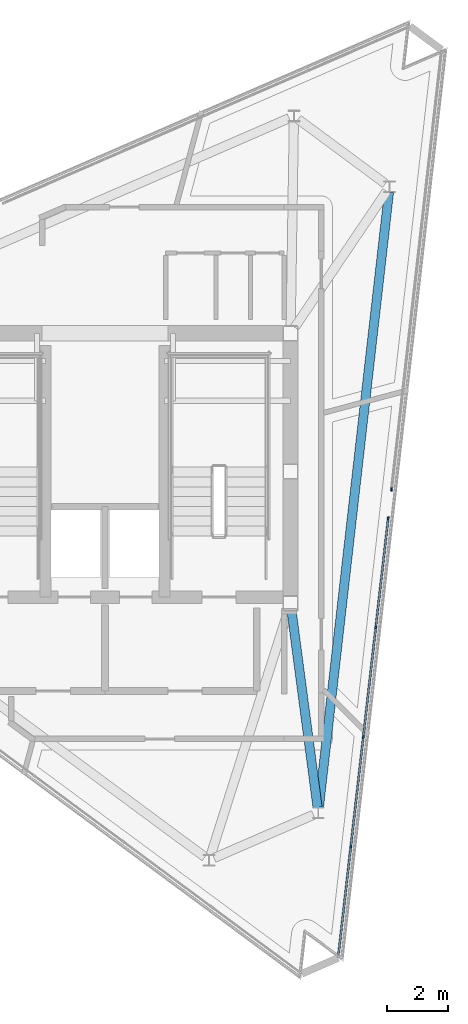
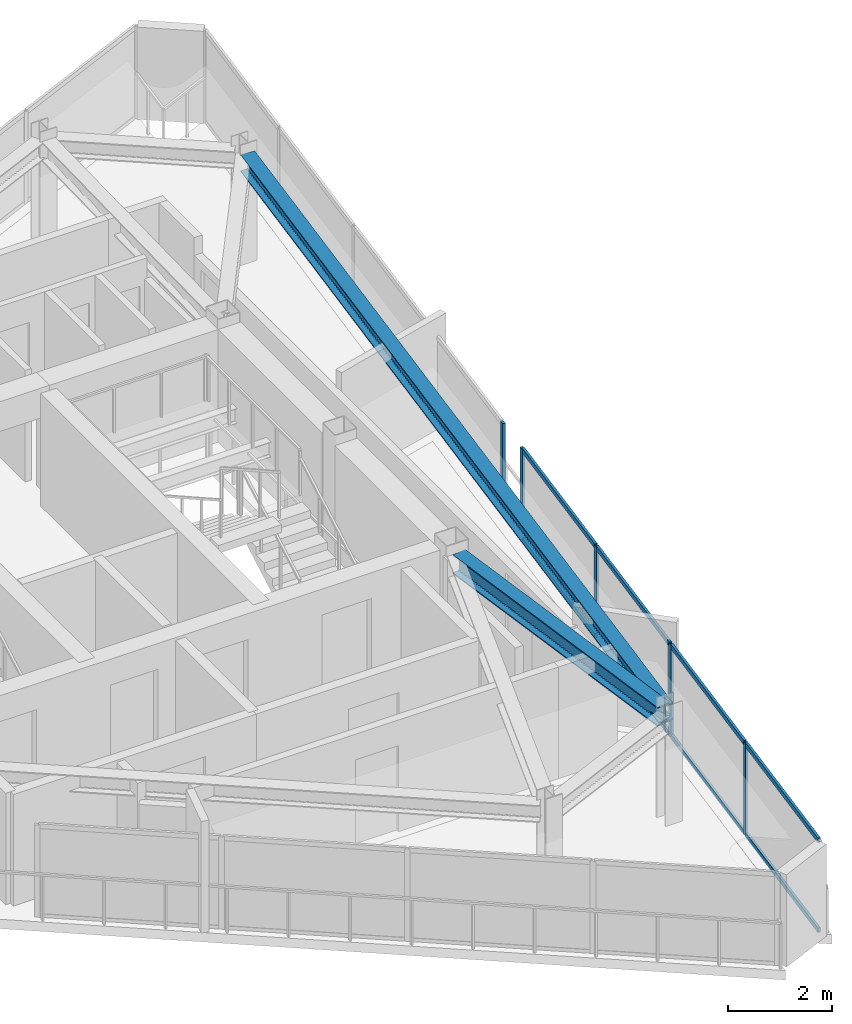
# One storey, part 3 of 9: 13 members, 2 beams, 2 elements without a shape of their own.
"""IFC4 building model written with IfcOpenShell, lengths in metres."""

from ifc_helpers import new_model, si_unit, direction, frame, origin, origin_2d, place, context, subcontext, project, spatial, rectangle, i_section, extrude, material, layer, layer_set, material_profile, profile_set, type_object, element, aggregate, save


model = new_model("IFC4")

# Units and contexts
model_context = context("Model", 3, precision=1e-05, world=origin(), true_north=direction((0.0, 1.0)))
body_context = subcontext(model_context, "Body", "Model", "MODEL_VIEW")
ifc_project = project(units=[si_unit("LENGTHUNIT", "METRE"), si_unit("AREAUNIT", "SQUARE_METRE"), si_unit("VOLUMEUNIT", "CUBIC_METRE"), si_unit("PLANEANGLEUNIT", "RADIAN"), si_unit("MASSUNIT", "GRAM", prefix="KILO")], contexts=[model_context])

# Site, building, storey
site_placement = place(None, origin())
site = spatial("IfcSite", under=ifc_project, at=site_placement, CompositionType="ELEMENT")
building_placement = place(site_placement, origin())
building = spatial("IfcBuilding", under=site, at=building_placement, Name="Rocaltana Carrier Exchange", CompositionType="ELEMENT")
storey_placement = place(building_placement, frame((0.0, 0.0, 246.239990234375)))
storey = spatial("IfcBuildingStorey", under=building, at=storey_placement, Name="L78", CompositionType="ELEMENT", Elevation=246.239990234375)

# Curtain wall, members
ifc_material_1 = material(Name="Aluminium 6063-T6", Category="aluminium")
ifc_layer = layer(ifc_material_1, 0.110107421875)
ifc_layer_set = layer_set([ifc_layer], Name="Aluminium 6063-T6")
curtain_wall_type = type_object("IfcCurtainWallType", Name="Crown Lantern Faceted Curtain Wall CW-06", PredefinedType="NOTDEFINED", material=ifc_layer_set)
curtain_wall_1_placement = place(storey_placement, origin())
curtain_wall_1 = element("IfcCurtainWall", 1, at=curtain_wall_1_placement, inside=storey, type_object=curtain_wall_type, Name="L78 CW-06 Run CW06-L78-F1S1", PredefinedType="NOTDEFINED")
ifc_material_2 = material(Name="Aluminium 6063-T6", Category="aluminium")
ifc_material_profile_1 = material_profile(ifc_material_2, rectangle(XDim=0.054931640625, YDim=0.110107421875, at=origin_2d()), Name="AL-55X110")
ifc_profile_set_1 = profile_set([ifc_material_profile_1], Name="Aluminium 6063-T6")
member_type_1 = type_object("IfcMemberType", Name="CW-06 Mullion AL-55X110", PredefinedType="MULLION", material=ifc_profile_set_1)
member_1_placement = place(storey_placement, frame((8.0126953125, -12.23583984375, 0.0), z_axis=(0.0, 0.0, 1.0), x_axis=(-0.993571337936, 0.113207757829, 0.0)))
member_1 = element("IfcMember", 2, at=member_1_placement, type_object=member_type_1, Name="CW-06 mullion 2", PredefinedType="MULLION", context=body_context, shape_type="SweptSolid", body=[
    extrude(rectangle(XDim=0.054931640625, YDim=0.110107421875, at=origin_2d()), origin(), (0.0, 0.0, 1.0), 2.16796875),
])
member_2_placement = place(storey_placement, frame((8.420166015625, -8.658935546875, 0.0), z_axis=(0.0, 0.0, 1.0), x_axis=(-0.993571337936, 0.113207757829, 0.0)))
member_2 = element("IfcMember", 3, at=member_2_placement, type_object=member_type_1, Name="CW-06 mullion 3", PredefinedType="MULLION", context=body_context, shape_type="SweptSolid", body=[
    extrude(rectangle(XDim=0.054931640625, YDim=0.110107421875, at=origin_2d()), origin(), (0.0, 0.0, 1.0), 2.16796875),
])
member_3_placement = place(storey_placement, frame((8.82763671875, -5.08203125, 0.0), z_axis=(0.0, 0.0, 1.0), x_axis=(-0.993571337936, 0.113207757829, 0.0)))
member_3 = element("IfcMember", 4, at=member_3_placement, type_object=member_type_1, Name="CW-06 mullion 4", PredefinedType="MULLION", context=body_context, shape_type="SweptSolid", body=[
    extrude(rectangle(XDim=0.054931640625, YDim=0.110107421875, at=origin_2d()), origin(), (0.0, 0.0, 1.0), 2.16796875),
])
member_4_placement = place(storey_placement, frame((9.232177734375, -1.532470703125, 0.0), z_axis=(0.0, 0.0, 1.0), x_axis=(-0.993571337936, 0.113207757829, 0.0)))
member_4 = element("IfcMember", 5, at=member_4_placement, type_object=member_type_1, Name="CW-06 mullion 5", PredefinedType="MULLION", context=body_context, shape_type="SweptSolid", body=[
    extrude(rectangle(XDim=0.054931640625, YDim=0.110107421875, at=origin_2d()), origin(), (0.0, 0.0, 1.0), 2.16796875),
])

# Curtain wall, member
curtain_wall_2_placement = place(storey_placement, origin())
curtain_wall_2 = element("IfcCurtainWall", 6, at=curtain_wall_2_placement, inside=storey, type_object=curtain_wall_type, Name="L78 CW-06 Run CW06-L78-F1S2", PredefinedType="NOTDEFINED")
member_5_placement = place(storey_placement, frame((9.34033203125, -0.58349609375, 0.0), z_axis=(0.0, 0.0, 1.0), x_axis=(-0.993571248935, 0.113208538941, 0.0)))
member_5 = element("IfcMember", 7, at=member_5_placement, type_object=member_type_1, Name="CW-06 mullion 1", PredefinedType="MULLION", context=body_context, shape_type="SweptSolid", body=[
    extrude(rectangle(XDim=0.054931640625, YDim=0.110107421875, at=origin_2d()), origin(), (0.0, 0.0, 1.0), 2.16796875),
])
aggregate(curtain_wall_2, [member_5])

# Member
ifc_material_3 = material(Name="Aluminium 6063-T6", Category="aluminium")
ifc_material_profile_2 = material_profile(ifc_material_3, rectangle(XDim=0.054931640625, YDim=0.110107421875, at=origin_2d()), Name="AL-55X110")
ifc_profile_set_2 = profile_set([ifc_material_profile_2], Name="Aluminium 6063-T6")
member_type_2 = type_object("IfcMemberType", Name="CW-06 Transom AL-55X110", PredefinedType="USERDEFINED", material=ifc_profile_set_2)
member_6_placement = place(storey_placement, frame((7.611328125, -15.758056640625, 0.027587890625), z_axis=(0.113196213842, 0.993572653192, 0.0), x_axis=(-0.993572653192, 0.113196213842, 0.0)))
member_6 = element("IfcMember", 8, at=member_6_placement, type_object=member_type_2, Name="CW-06 transom 1.1", ObjectType="TRANSOM", PredefinedType="USERDEFINED", context=body_context, shape_type="SweptSolid", body=[
    extrude(rectangle(XDim=0.054931640625, YDim=0.110107421875, at=origin_2d()), origin(), (0.0, 0.0, 1.0), 3.517822265625),
])

member_7_placement = place(storey_placement, frame((7.611328125, -15.758056640625, 2.140625), z_axis=(0.113196213842, 0.993572653192, 0.0), x_axis=(-0.993572653192, 0.113196213842, 0.0)))
member_7 = element("IfcMember", 9, at=member_7_placement, type_object=member_type_2, Name="CW-06 transom 1.2", ObjectType="TRANSOM", PredefinedType="USERDEFINED", context=body_context, shape_type="SweptSolid", body=[
    extrude(rectangle(XDim=0.054931640625, YDim=0.110107421875, at=origin_2d()), origin(), (0.0, 0.0, 1.0), 3.517822265625),
])

member_8_placement = place(storey_placement, frame((8.015869140625, -12.20849609375, 0.027587890625), z_axis=(0.11315229011, 0.993577656373, 0.0), x_axis=(-0.993577656373, 0.11315229011, 0.0)))
member_8 = element("IfcMember", 10, at=member_8_placement, type_object=member_type_2, Name="CW-06 transom 2.1", ObjectType="TRANSOM", PredefinedType="USERDEFINED", context=body_context, shape_type="SweptSolid", body=[
    extrude(rectangle(XDim=0.054931640625, YDim=0.110107421875, at=origin_2d()), origin(), (0.0, 0.0, 1.0), 3.544921875),
])

member_9_placement = place(storey_placement, frame((8.015869140625, -12.20849609375, 2.140625), z_axis=(0.11315229011, 0.993577656373, 0.0), x_axis=(-0.993577656373, 0.11315229011, 0.0)))
member_9 = element("IfcMember", 11, at=member_9_placement, type_object=member_type_2, Name="CW-06 transom 2.2", ObjectType="TRANSOM", PredefinedType="USERDEFINED", context=body_context, shape_type="SweptSolid", body=[
    extrude(rectangle(XDim=0.054931640625, YDim=0.110107421875, at=origin_2d()), origin(), (0.0, 0.0, 1.0), 3.544921875),
])

member_10_placement = place(storey_placement, frame((8.42333984375, -8.631591796875, 0.027587890625), z_axis=(0.11322027687, 0.993569911433, 0.0), x_axis=(-0.993569911433, 0.11322027687, 0.0)))
member_10 = element("IfcMember", 12, at=member_10_placement, type_object=member_type_2, Name="CW-06 transom 3.1", ObjectType="TRANSOM", PredefinedType="USERDEFINED", context=body_context, shape_type="SweptSolid", body=[
    extrude(rectangle(XDim=0.054931640625, YDim=0.110107421875, at=origin_2d()), origin(), (0.0, 0.0, 1.0), 3.544921875),
])

member_11_placement = place(storey_placement, frame((8.42333984375, -8.631591796875, 2.140625), z_axis=(0.11322027687, 0.993569911433, 0.0), x_axis=(-0.993569911433, 0.11322027687, 0.0)))
member_11 = element("IfcMember", 13, at=member_11_placement, type_object=member_type_2, Name="CW-06 transom 3.2", ObjectType="TRANSOM", PredefinedType="USERDEFINED", context=body_context, shape_type="SweptSolid", body=[
    extrude(rectangle(XDim=0.054931640625, YDim=0.110107421875, at=origin_2d()), origin(), (0.0, 0.0, 1.0), 3.544921875),
])

member_12_placement = place(storey_placement, frame((8.830810546875, -5.0546875, 0.027587890625), z_axis=(0.113204020034, 0.993571763814, 0.0), x_axis=(-0.993571763814, 0.113204020034, 0.0)))
member_12 = element("IfcMember", 14, at=member_12_placement, type_object=member_type_2, Name="CW-06 transom 4.1", ObjectType="TRANSOM", PredefinedType="USERDEFINED", context=body_context, shape_type="SweptSolid", body=[
    extrude(rectangle(XDim=0.054931640625, YDim=0.110107421875, at=origin_2d()), origin(), (0.0, 0.0, 1.0), 3.517578125),
])

member_13_placement = place(storey_placement, frame((8.830810546875, -5.0546875, 2.140625), z_axis=(0.113204020034, 0.993571763814, 0.0), x_axis=(-0.993571763814, 0.113204020034, 0.0)))
member_13 = element("IfcMember", 15, at=member_13_placement, type_object=member_type_2, Name="CW-06 transom 4.2", ObjectType="TRANSOM", PredefinedType="USERDEFINED", context=body_context, shape_type="SweptSolid", body=[
    extrude(rectangle(XDim=0.054931640625, YDim=0.110107421875, at=origin_2d()), origin(), (0.0, 0.0, 1.0), 3.517578125),
])

aggregate(curtain_wall_1, [member_1, member_2, member_3, member_4, member_6, member_7, member_8, member_9, member_10, member_11, member_12, member_13])

# Beams
ifc_material_4 = material(Name="Steel S460", Category="steel")
ifc_material_profile_3 = material_profile(ifc_material_4, i_section(OverallWidth=0.300048828125, OverallDepth=0.449951171875, WebThickness=0.013916015625, FlangeThickness=0.02587890625, FilletRadius=0.027099609375, at=origin_2d()), Name="HEB450")
ifc_profile_set_3 = profile_set([ifc_material_profile_3], Name="Steel S460")
beam_type_1 = type_object("IfcBeamType", Name="Crown Frame Rafter HEB450", PredefinedType="BEAM", material=ifc_profile_set_3)
beam_1_placement = place(storey_placement, frame((6.081787109375, -4.539794921875, 2.423095703125), z_axis=(0.131160183144, -0.991361188648, 0.0), x_axis=(0.991361188648, 0.131160183144, 0.0)))
element("IfcBeam", 16, at=beam_1_placement, inside=storey, type_object=beam_type_1, Name="CRG-RAD-L78-01", PredefinedType="BEAM", context=body_context, shape_type="SweptSolid", body=[
    extrude(i_section(OverallWidth=0.300048828125, OverallDepth=0.449951171875, WebThickness=0.013916015625, FlangeThickness=0.02587890625, FilletRadius=0.027099609375, at=origin_2d()), origin(), (0.0, 0.0, 1.0), 6.47021484375),
])
ifc_material_5 = material(Name="Steel S460", Category="steel")
ifc_material_profile_4 = material_profile(ifc_material_5, i_section(OverallWidth=0.300048828125, OverallDepth=0.39990234375, WebThickness=0.013427734375, FlangeThickness=0.02392578125, FilletRadius=0.027099609375, at=origin_2d()), Name="HEB400")
ifc_profile_set_4 = profile_set([ifc_material_profile_4], Name="Steel S460")
beam_type_2 = type_object("IfcBeamType", Name="Crown Ring Beam HEB400", PredefinedType="BEAM", material=ifc_profile_set_4)
beam_2_placement = place(storey_placement, frame((6.972900390625, -10.95361328125, 2.447998046875), z_axis=(0.113206536155, 0.993571477133, 0.0), x_axis=(-0.993571477133, 0.113206536155, 0.0)))
element("IfcBeam", 17, at=beam_2_placement, inside=storey, type_object=beam_type_2, Name="CRG-RING-L78-01", PredefinedType="BEAM", context=body_context, shape_type="SweptSolid", body=[
    extrude(i_section(OverallWidth=0.300048828125, OverallDepth=0.39990234375, WebThickness=0.013427734375, FlangeThickness=0.02392578125, FilletRadius=0.027099609375, at=origin_2d()), origin(), (0.0, 0.0, 1.0), 20.18798828125),
])

save(model, "model.ifc")
